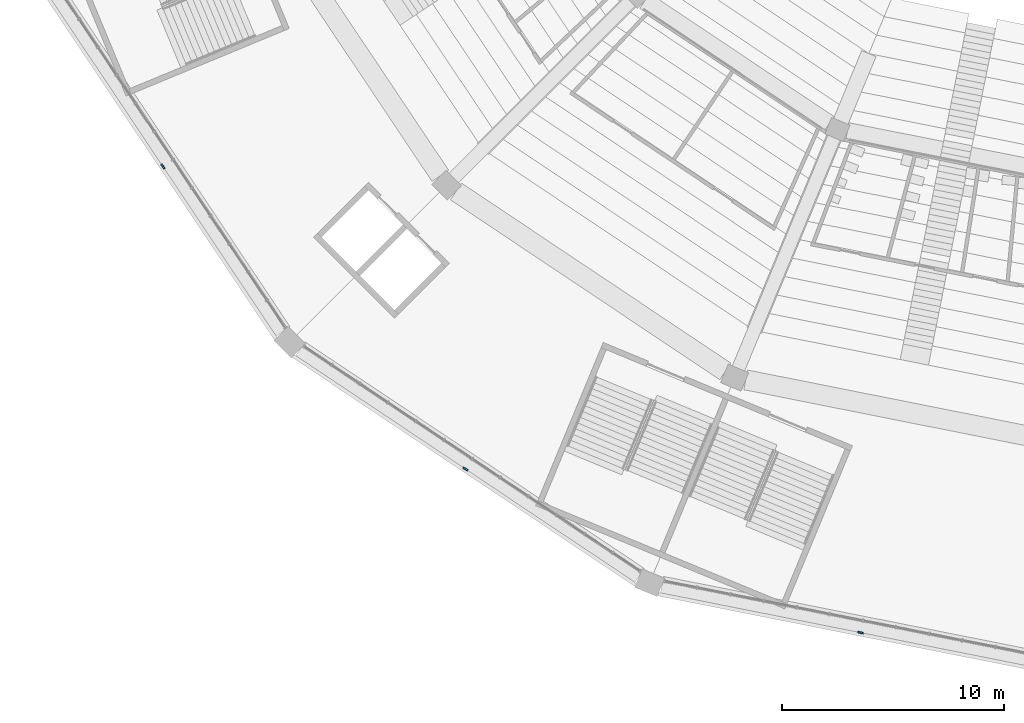
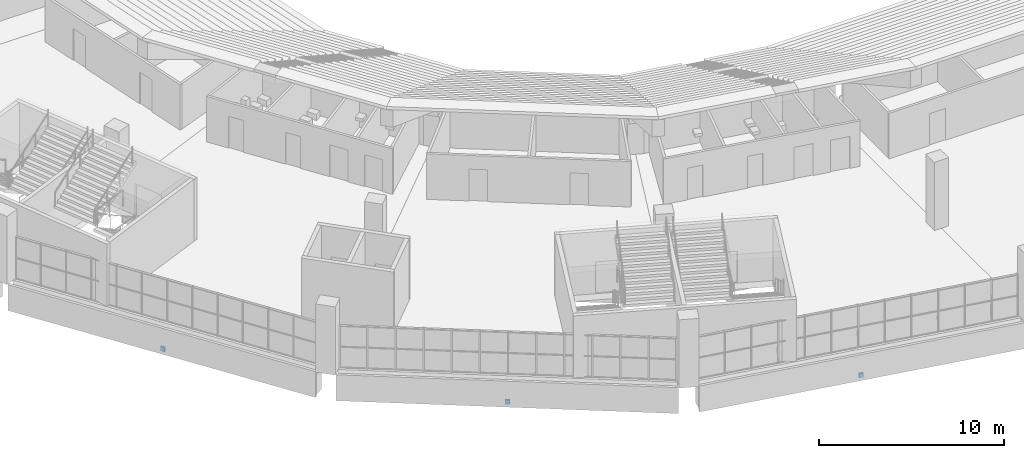
# One storey, part 100 of 249: 3 discrete accessories.
"""IFC4 building model written with IfcOpenShell, lengths in metres."""

from ifc_helpers import new_model, si_unit, direction, frame, origin, origin_2d, place, context, subcontext, project, spatial, rectangle, extrude, material, layer, layer_set, type_object, element, save


model = new_model("IFC4")

# Units and contexts
model_context = context("Model", 3, precision=1e-05, world=origin(), true_north=direction((0.0, 1.0)))
body_context = subcontext(model_context, "Body", "Model", "MODEL_VIEW")
ifc_project = project(units=[si_unit("LENGTHUNIT", "METRE"), si_unit("AREAUNIT", "SQUARE_METRE"), si_unit("VOLUMEUNIT", "CUBIC_METRE"), si_unit("PLANEANGLEUNIT", "RADIAN"), si_unit("MASSUNIT", "GRAM", prefix="KILO")], contexts=[model_context])

# Site, building, storey
site_placement = place(None, origin())
site = spatial("IfcSite", under=ifc_project, at=site_placement, CompositionType="ELEMENT")
building_placement = place(site_placement, origin())
building = spatial("IfcBuilding", under=site, at=building_placement, Name="Ogive Plaza Stadium", CompositionType="ELEMENT")
storey_placement = place(building_placement, frame((0.0, 0.0, 13.5)))
storey = spatial("IfcBuildingStorey", under=building, at=storey_placement, Name="L03", CompositionType="ELEMENT", Elevation=13.5)

# Discrete accessories
ifc_material = material(Name="Steel ASTM A572 Grade 50", Category="steel")
ifc_layer = layer(ifc_material, 0.080078125)
ifc_layer_set = layer_set([ifc_layer], Name="Steel ASTM A572 Grade 50")
discrete_accessory_type = type_object("IfcDiscreteAccessoryType", Name="Spandrel cladding bracket 250x300", PredefinedType="BRACKET", material=ifc_layer_set)
for number, where, z_axis, x_axis, name in (
    (1, (-43.635498046875, -100.940185546875, -1.60986328125), (0.0, 0.0, 1.0), (-0.980785280413, 0.195090321965, 0.0), "SPANDREL BRACKET B17 L03"),
    (2, (-61.439208984375, -93.565673828125, -1.60986328125), (0.0, 0.0, 1.0), (-0.831469612312, 0.555570233005, 0.0), "SPANDREL BRACKET B18 L03"),
    (3, (-75.065673828125, -79.939208984375, -1.60986328125), (0.0, 0.0, 1.0), (-0.555570233005, 0.831469612312, 0.0), "SPANDREL BRACKET B19 L03"),
):
    element("IfcDiscreteAccessory", number, at=place(storey_placement, frame(where, z_axis=z_axis, x_axis=x_axis)), inside=storey, type_object=discrete_accessory_type, Name=name, PredefinedType="BRACKET", context=body_context, shape_type="SweptSolid", body=[
        extrude(rectangle(XDim=0.25, YDim=0.080078125, at=origin_2d()), origin(), (0.0, 0.0, 1.0), 0.300048828125),
    ])

save(model, "model.ifc")
